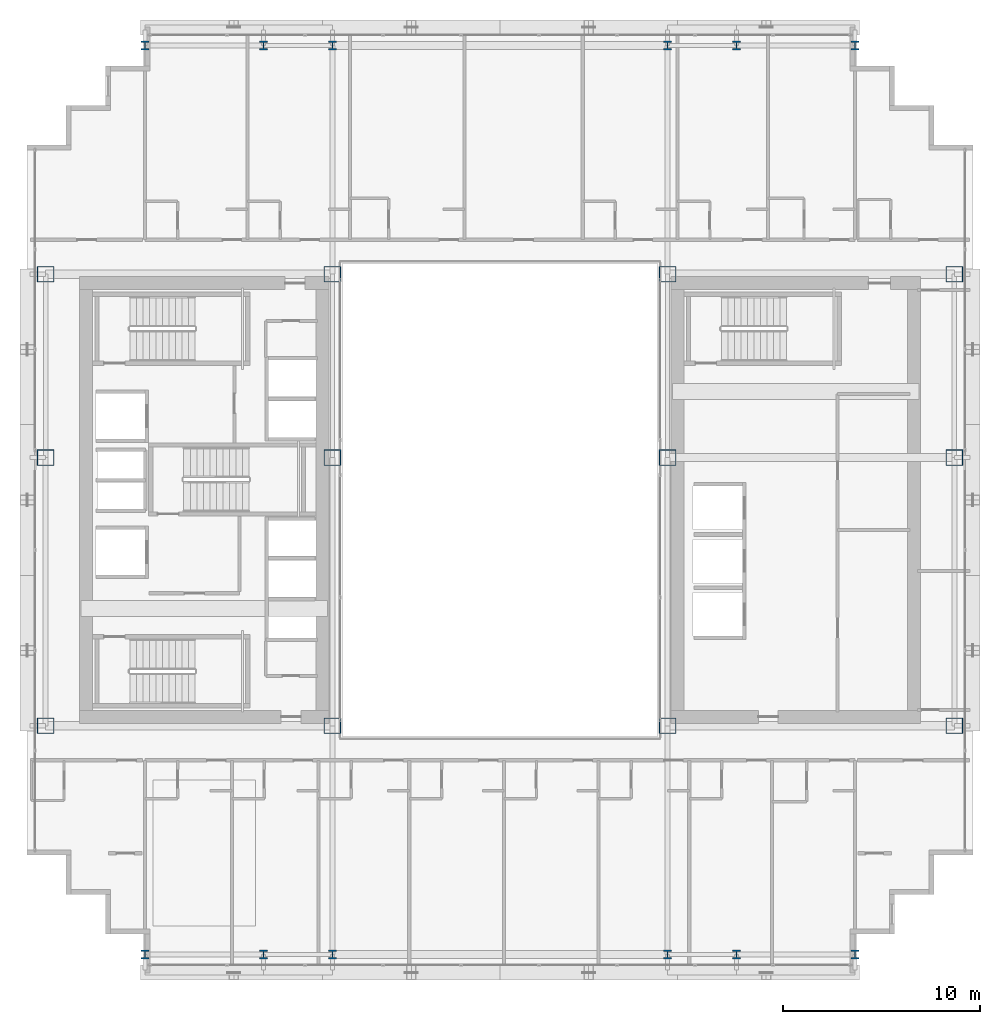
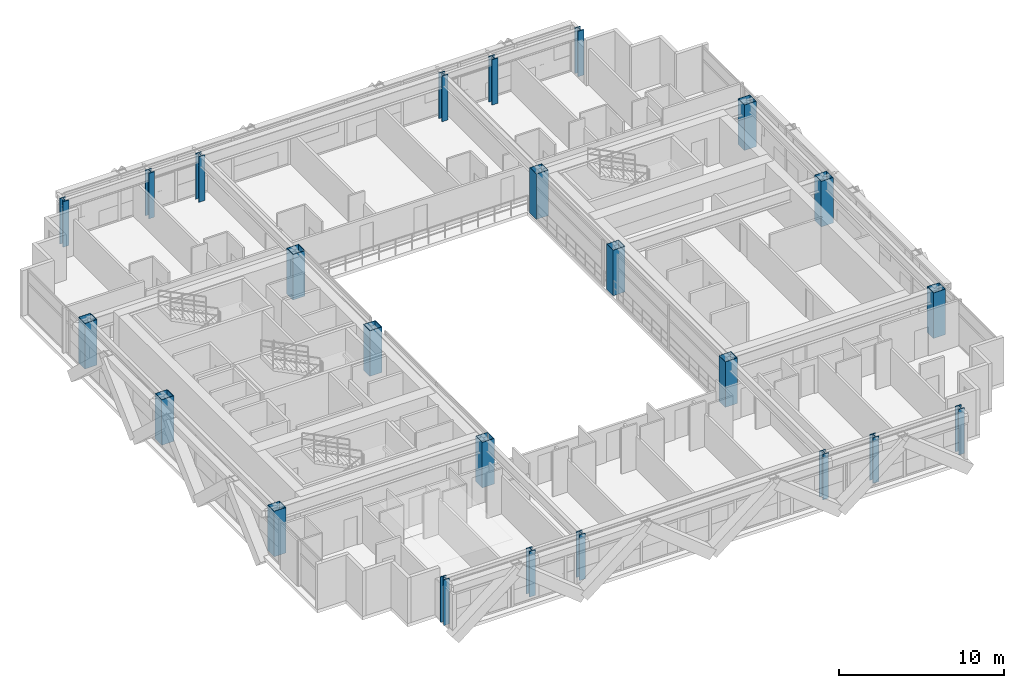
# One storey, part 1 of 39: 24 columns.
"""IFC4 building model written with IfcOpenShell, lengths in metres."""

from ifc_helpers import new_model, si_unit, direction, frame, origin, origin_2d, place, context, subcontext, project, spatial, hollow_rectangle, i_section, extrude, source, transform, mapped, material, material_profile, profile_set, type_object, element, save


model = new_model("IFC4")

# Units and contexts
model_context = context("Model", 3, precision=1e-05, world=origin(), true_north=direction((0.0, 1.0)))
body_context = subcontext(model_context, "Body", "Model", "MODEL_VIEW")
ifc_project = project(units=[si_unit("LENGTHUNIT", "METRE"), si_unit("AREAUNIT", "SQUARE_METRE"), si_unit("VOLUMEUNIT", "CUBIC_METRE"), si_unit("PLANEANGLEUNIT", "RADIAN"), si_unit("MASSUNIT", "GRAM", prefix="KILO")], contexts=[model_context])

# Site, building, storey
site_placement = place(None, origin())
site = spatial("IfcSite", under=ifc_project, at=site_placement, CompositionType="ELEMENT")
building_placement = place(site_placement, origin())
building = spatial("IfcBuilding", under=site, at=building_placement, Name="Ocotamira Hotel", CompositionType="ELEMENT")
storey_placement = place(building_placement, frame((0.0, 0.0, 104.39990234375)))
storey = spatial("IfcBuildingStorey", under=building, at=storey_placement, Name="L25", CompositionType="ELEMENT", Elevation=104.39990234375)

# Columns
ifc_material = material(Name="Steel ASTM A913 Grade 65", Category="steel")
ifc_material_profile_1 = material_profile(ifc_material, hollow_rectangle(XDim=0.85009765625, YDim=0.800048828125, WallThickness=0.031982421875, at=origin_2d()), Name="BOX800X850X32")
ifc_profile_set_1 = profile_set([ifc_material_profile_1], Name="Steel ASTM A913 Grade 65")
column_type_1 = type_object("IfcColumnType", Name="COL-BOX800", PredefinedType="COLUMN", material=ifc_profile_set_1)
shared_shape_1 = source(origin(), body_context, "Body", "SweptSolid", [
    extrude(hollow_rectangle(XDim=0.85009765625, YDim=0.800048828125, WallThickness=0.031982421875, at=origin_2d()), origin(), (0.0, 0.0, 1.0), 3.360107421875),
])
for number, where, z_axis, x_axis, name in (
    (1, (8.949951171875, 14.550048828125, 0.0), (0.0, 0.0, 1.0), (1.0, 0.0, 0.0), "L25 Column TW8_14"),
    (2, (23.5, 14.550048828125, 0.0), (0.0, 0.0, 1.0), (1.0, 0.0, 0.0), "L25 Column TW23_14"),
    (3, (40.5, 14.550048828125, 0.0), (0.0, 0.0, 1.0), (1.0, 0.0, 0.0), "L25 Column TE40_14"),
    (4, (55.050048828125, 14.550048828125, 0.0), (0.0, 0.0, 1.0), (1.0, 0.0, 0.0), "L25 Column TE55_14"),
    (5, (8.949951171875, 28.14990234375, 0.0), (0.0, 0.0, 1.0), (1.0, 0.0, 0.0), "L25 Column TW8_28"),
    (6, (23.5, 28.14990234375, 0.0), (0.0, 0.0, 1.0), (1.0, 0.0, 0.0), "L25 Column TW23_28"),
    (7, (40.5, 28.14990234375, 0.0), (0.0, 0.0, 1.0), (1.0, 0.0, 0.0), "L25 Column TE40_28"),
    (8, (55.050048828125, 28.14990234375, 0.0), (0.0, 0.0, 1.0), (1.0, 0.0, 0.0), "L25 Column TE55_28"),
    (9, (8.949951171875, 37.449951171875, 0.0), (0.0, 0.0, 1.0), (1.0, 0.0, 0.0), "L25 Column TW8_37"),
    (10, (23.5, 37.449951171875, 0.0), (0.0, 0.0, 1.0), (1.0, 0.0, 0.0), "L25 Column TW23_37"),
    (11, (40.5, 37.449951171875, 0.0), (0.0, 0.0, 1.0), (1.0, 0.0, 0.0), "L25 Column TE40_37"),
    (12, (55.050048828125, 37.449951171875, 0.0), (0.0, 0.0, 1.0), (1.0, 0.0, 0.0), "L25 Column TE55_37"),
):
    element("IfcColumn", number, at=place(storey_placement, frame(where, z_axis=z_axis, x_axis=x_axis)), inside=storey, type_object=column_type_1, Name=name, PredefinedType="COLUMN", context=body_context, shape_type="MappedRepresentation", body=[
        mapped(shared_shape_1, transform((0.0, 0.0, 0.0), scale=1.0)),
    ])
ifc_material_profile_2 = material_profile(ifc_material, i_section(OverallWidth=0.412109375, OverallDepth=0.43505859375, WebThickness=0.035888671875, FlangeThickness=0.057373046875, FilletRadius=0.02490234375, at=origin_2d()), Name="W14X311")
ifc_profile_set_2 = profile_set([ifc_material_profile_2], Name="Steel ASTM A913 Grade 65")
column_type_2 = type_object("IfcColumnType", Name="COL-W14X311", PredefinedType="COLUMN", material=ifc_profile_set_2)
shared_shape_2 = source(origin(), body_context, "Body", "SweptSolid", [
    extrude(i_section(OverallWidth=0.412109375, OverallDepth=0.43505859375, WebThickness=0.035888671875, FlangeThickness=0.057373046875, FilletRadius=0.02490234375, at=origin_2d()), origin(), (0.0, 0.0, 1.0), 3.360107421875),
])
for number, where, z_axis, x_axis, name in (
    (13, (14.0, 2.949951171875, 0.0), (0.0, 0.0, 1.0), (1.0, 0.0, 0.0), "L25 Column NSP1_14"),
    (14, (20.0, 2.949951171875, 0.0), (0.0, 0.0, 1.0), (1.0, 0.0, 0.0), "L25 Column NSP1_20"),
    (15, (23.5, 2.949951171875, 0.0), (0.0, 0.0, 1.0), (1.0, 0.0, 0.0), "L25 Column NSP1_23"),
    (16, (40.5, 2.949951171875, 0.0), (0.0, 0.0, 1.0), (1.0, 0.0, 0.0), "L25 Column NSP1_40"),
    (17, (44.0, 2.949951171875, 0.0), (0.0, 0.0, 1.0), (1.0, 0.0, 0.0), "L25 Column NSP1_44"),
    (18, (50.0, 2.949951171875, 0.0), (0.0, 0.0, 1.0), (1.0, 0.0, 0.0), "L25 Column NSP1_50"),
    (19, (14.0, 49.050048828125, 0.0), (0.0, 0.0, 1.0), (1.0, 0.0, 0.0), "L25 Column NSP2_14"),
    (20, (20.0, 49.050048828125, 0.0), (0.0, 0.0, 1.0), (1.0, 0.0, 0.0), "L25 Column NSP2_20"),
    (21, (23.5, 49.050048828125, 0.0), (0.0, 0.0, 1.0), (1.0, 0.0, 0.0), "L25 Column NSP2_23"),
    (22, (40.5, 49.050048828125, 0.0), (0.0, 0.0, 1.0), (1.0, 0.0, 0.0), "L25 Column NSP2_40"),
    (23, (44.0, 49.050048828125, 0.0), (0.0, 0.0, 1.0), (1.0, 0.0, 0.0), "L25 Column NSP2_44"),
    (24, (50.0, 49.050048828125, 0.0), (0.0, 0.0, 1.0), (1.0, 0.0, 0.0), "L25 Column NSP2_50"),
):
    element("IfcColumn", number, at=place(storey_placement, frame(where, z_axis=z_axis, x_axis=x_axis)), inside=storey, type_object=column_type_2, Name=name, PredefinedType="COLUMN", context=body_context, shape_type="MappedRepresentation", body=[
        mapped(shared_shape_2, transform((0.0, 0.0, 0.0), scale=1.0)),
    ])

save(model, "model.ifc")
